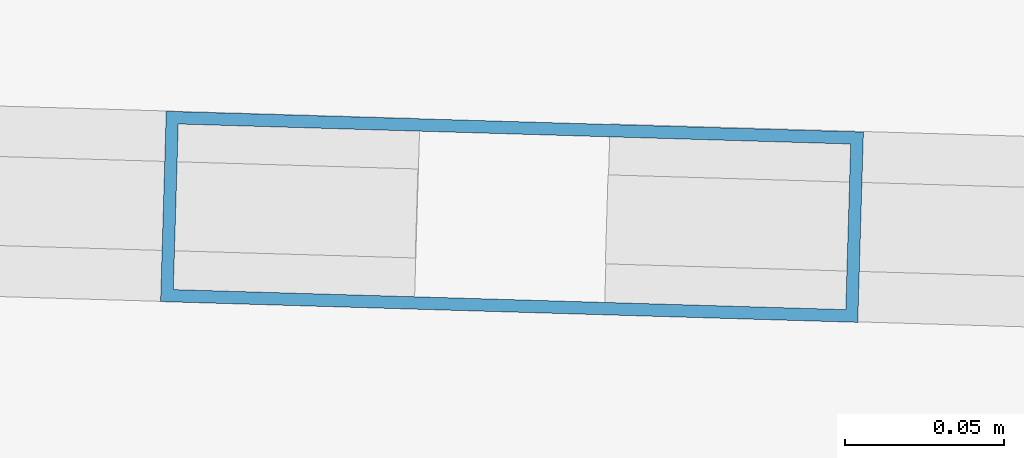
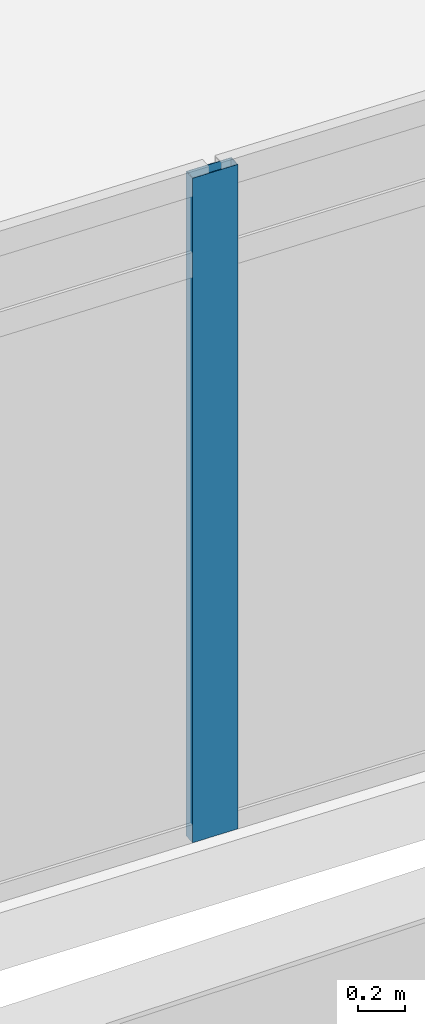
# One storey, part 5 of 36: 1 member, 1 element without a shape of its own.
"""IFC4 building model written with IfcOpenShell, lengths in metres."""

from ifc_helpers import new_model, si_unit, direction, frame, origin, origin_2d, place, context, subcontext, project, spatial, hollow_rectangle, extrude, material, material_profile, profile_set, type_object, element, aggregate, save


model = new_model("IFC4")

# Units and contexts
model_context = context("Model", 3, precision=1e-05, world=origin(), true_north=direction((0.0, 1.0)))
body_context = subcontext(model_context, "Body", "Model", "MODEL_VIEW")
ifc_project = project(units=[si_unit("LENGTHUNIT", "METRE"), si_unit("AREAUNIT", "SQUARE_METRE"), si_unit("VOLUMEUNIT", "CUBIC_METRE"), si_unit("PLANEANGLEUNIT", "RADIAN"), si_unit("MASSUNIT", "GRAM", prefix="KILO")], contexts=[model_context])

# Site, building, storey
site_placement = place(None, origin())
site = spatial("IfcSite", under=ifc_project, at=site_placement, CompositionType="ELEMENT")
building_placement = place(site_placement, origin())
building = spatial("IfcBuilding", under=site, at=building_placement, Name="Ostrander Bayou Hotel Tower", CompositionType="ELEMENT")
storey_placement = place(building_placement, frame((0.0, 0.0, 138.5)))
storey = spatial("IfcBuildingStorey", under=building, at=storey_placement, Name="L34", CompositionType="ELEMENT", Elevation=138.5)

# Curtain wall, member
ifc_material_1 = material(Name="Aluminium and clear glass", Category="aluminium")
curtain_wall_type = type_object("IfcCurtainWallType", Name="CW-BAR glazed wall", PredefinedType="NOTDEFINED", material=ifc_material_1)
curtain_wall_placement = place(storey_placement, origin())
curtain_wall = element("IfcCurtainWall", 1, at=curtain_wall_placement, inside=storey, type_object=curtain_wall_type, Name="CW-BAR L34:SB3S:T", PredefinedType="NOTDEFINED")
ifc_material_2 = material(Name="Aluminium", Category="aluminium")
ifc_material_profile = material_profile(ifc_material_2, hollow_rectangle(XDim=0.06005859375, YDim=0.219970703125, WallThickness=0.00390625, at=origin_2d()))
ifc_profile_set = profile_set([ifc_material_profile], Name="Aluminium")
member_type = type_object("IfcMemberType", Name="CW-BR mullion 60 x 220 mm", PredefinedType="MULLION", material=ifc_profile_set)
member_placement = place(storey_placement, frame((1.0283203125, -30.980712890625, 0.0), z_axis=(0.0, 0.0, 1.0), x_axis=(0.029746242041, 0.999557482631, 0.0)))
member = element("IfcMember", 2, at=member_placement, type_object=member_type, Name="CW-BAR mullion 8", PredefinedType="MULLION", context=body_context, shape_type="SweptSolid", body=[
    extrude(hollow_rectangle(XDim=0.06005859375, YDim=0.219970703125, WallThickness=0.00390625, at=origin_2d()), origin(), (0.0, 0.0, 1.0), 3.449951171875),
])
aggregate(curtain_wall, [member])

save(model, "model.ifc")
